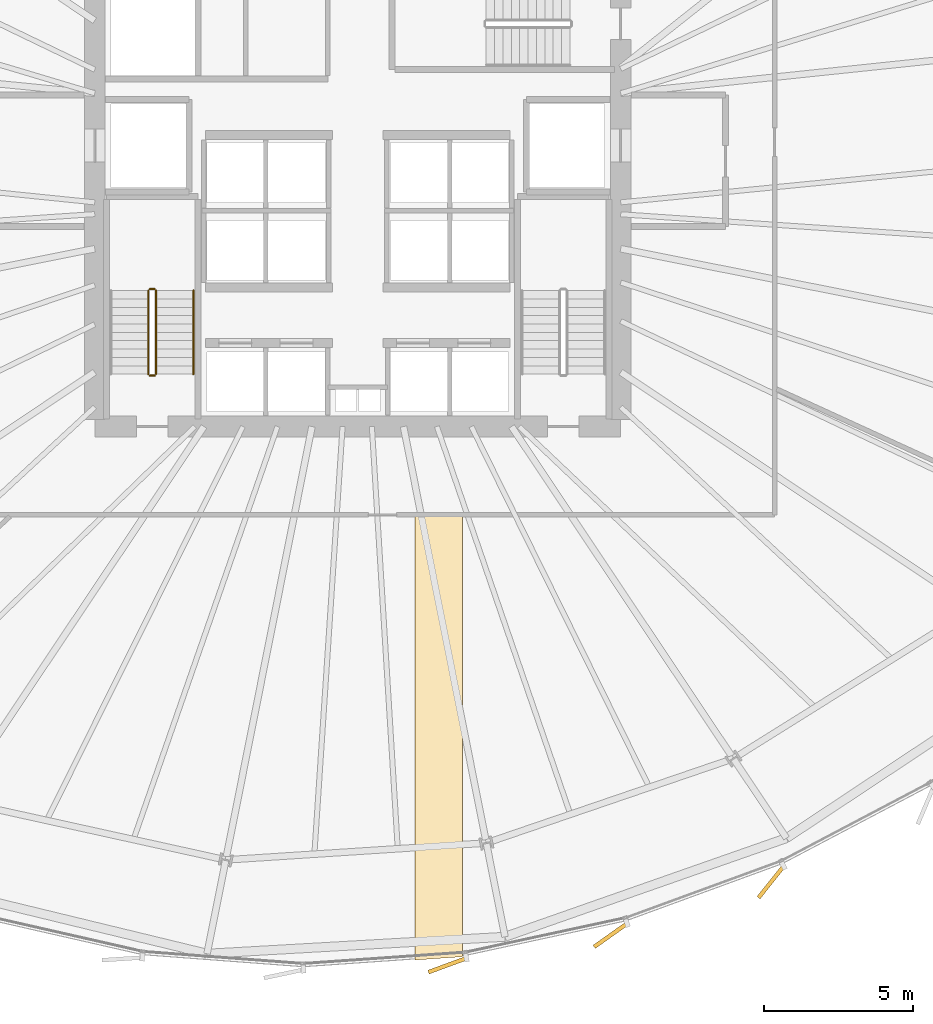
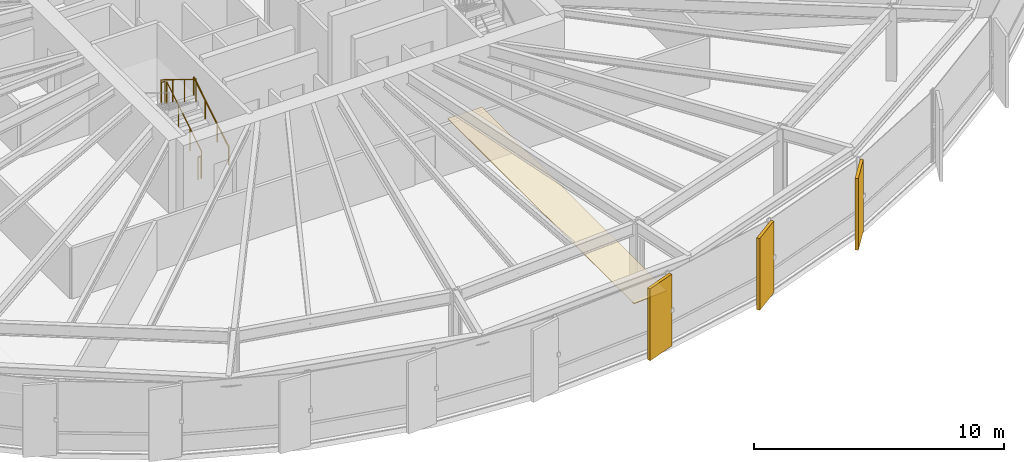
# One storey, part 35 of 38: 5 railings, 4 coverings.
"""IFC4 building model written with IfcOpenShell, lengths in metres."""

from ifc_helpers import new_model, si_unit, direction, frame, origin, origin_2d, place, context, subcontext, project, spatial, polyline, rectangle, circle, outline, extrude, source, transform, mapped, material, layer, layer_set, type_object, element, save


model = new_model("IFC4")

# Units and contexts
model_context = context("Model", 3, precision=1e-05, world=origin(), true_north=direction((0.0, 1.0)))
body_context = subcontext(model_context, "Body", "Model", "MODEL_VIEW")
ifc_project = project(units=[si_unit("LENGTHUNIT", "METRE"), si_unit("AREAUNIT", "SQUARE_METRE"), si_unit("VOLUMEUNIT", "CUBIC_METRE"), si_unit("PLANEANGLEUNIT", "RADIAN"), si_unit("MASSUNIT", "GRAM", prefix="KILO"), si_unit("THERMODYNAMICTEMPERATUREUNIT", "KELVIN")], contexts=[model_context])

# Site, building, storey
site_placement = place(None, origin())
site = spatial("IfcSite", under=ifc_project, at=site_placement, CompositionType="ELEMENT")
building_placement = place(site_placement, origin())
building = spatial("IfcBuilding", under=site, at=building_placement, Name="Kethvar Cultural Tower", CompositionType="ELEMENT")
storey_placement = place(building_placement, frame((0.0, 0.0, 63.800048828125)))
storey = spatial("IfcBuildingStorey", under=building, at=storey_placement, Name="L15", CompositionType="ELEMENT", Elevation=63.800048828125)

# Covering
ifc_material_1 = material(Name="Acoustic Mineral Fibre Ceiling")
ifc_layer_1 = layer(ifc_material_1, 0.0400390625, Name="Acoustic Mineral Fibre Ceiling")
ifc_layer_set_1 = layer_set([ifc_layer_1], Name="Acoustic Mineral Fibre Ceiling (40 mm)")
covering_type_1 = type_object("IfcCoveringType", Name="CV-ACOUSTIC-CEIL", PredefinedType="CEILING", material=ifc_layer_set_1)
covering_placement = place(storey_placement, frame((0.0, 0.0, 2.669921875)))
element("IfcCovering", 1, at=covering_placement, inside=storey, type_object=covering_type_1, Name="L15 Room 01 Acoustic Ceiling Panel", PredefinedType="CEILING", context=body_context, shape_type="SweptSolid", body=[
    extrude(outline(polyline([(48.7109375, 2.245849609375), (48.7109375, 17.159912109375), (50.301025390625, 17.159912109375), (50.301025390625, 2.35693359375), (48.7109375, 2.245849609375)])), origin(), (0.0, 0.0, 1.0), 0.0400390625),
])

# Railings
ifc_material_2 = material(Name="Steel S355J2", Category="steel")
railing_type_1 = type_object("IfcRailingType", Name="RL-STAIR-GUARD", PredefinedType="BALUSTRADE", material=ifc_material_2)
railing_1_placement = place(storey_placement, frame((40.050048828125, 21.85009765625, 0.172607421875)))
element("IfcRailing", 2, at=railing_1_placement, inside=storey, type_object=railing_type_1, Name="L15 ST-01 stair guard 1", PredefinedType="BALUSTRADE", context=body_context, shape_type="SweptSolid", body=[
    extrude(circle(Radius=0.02392578125, at=origin_2d()), frame((0.0, 0.0, 1.09619140625), z_axis=(0.0, 0.851069175582, 0.525053576669), x_axis=(-1.0, 0.0, 0.0)), (0.0, 0.0, 1.0), 3.289794921875),
    extrude(circle(Radius=0.02099609375, at=origin_2d()), origin(), (0.0, 0.0, 1.0), 1.072021484375),
    extrude(circle(Radius=0.02099609375, at=origin_2d()), frame((0.0, 0.933349609375, 0.57568359375)), (0.0, 0.0, 1.0), 1.072021484375),
    extrude(circle(Radius=0.02099609375, at=origin_2d()), frame((0.0, 1.866455078125, 1.151611328125)), (0.0, 0.0, 1.0), 1.072021484375),
    extrude(circle(Radius=0.02099609375, at=origin_2d()), frame((0.0, 2.7998046875, 1.727294921875)), (0.0, 0.0, 1.0), 1.072021484375),
])
railing_2_placement = place(storey_placement, frame((40.0, 24.699951171875, 1.89990234375)))
element("IfcRailing", 3, at=railing_2_placement, inside=storey, type_object=railing_type_1, Name="L15 ST-01 stair guard 2", PredefinedType="BALUSTRADE", context=body_context, shape_type="SweptSolid", body=[
    extrude(circle(Radius=0.02392578125, at=origin_2d()), frame((0.0, 0.0, 1.09619140625), z_axis=(-1.0, 0.0, 0.0), x_axis=(0.0, -1.0, 0.0)), (0.0, 0.0, 1.0), 0.159912109375),
    extrude(circle(Radius=0.02099609375, at=origin_2d()), origin(), (0.0, 0.0, 1.0), 1.072021484375),
    extrude(circle(Radius=0.02099609375, at=origin_2d()), frame((-0.159912109375, 0.0, 0.0)), (0.0, 0.0, 1.0), 1.072021484375),
])
railing_3_placement = place(storey_placement, frame((39.7900390625, 24.64990234375, 2.07275390625)))
element("IfcRailing", 4, at=railing_3_placement, inside=storey, type_object=railing_type_1, Name="L15 ST-01 stair guard 3", PredefinedType="BALUSTRADE", context=body_context, shape_type="SweptSolid", body=[
    extrude(circle(Radius=0.02392578125, at=origin_2d()), frame((0.0, 0.0, 1.09619140625), z_axis=(0.0, -0.851069175582, 0.525053576669), x_axis=(1.0, 0.0, 0.0)), (0.0, 0.0, 1.0), 3.289794921875),
    extrude(circle(Radius=0.02099609375, at=origin_2d()), origin(), (0.0, 0.0, 1.0), 1.072021484375),
    extrude(circle(Radius=0.02099609375, at=origin_2d()), frame((0.0, -0.933349609375, 0.57568359375)), (0.0, 0.0, 1.0), 1.072021484375),
    extrude(circle(Radius=0.02099609375, at=origin_2d()), frame((0.0, -1.866455078125, 1.151611328125)), (0.0, 0.0, 1.0), 1.072021484375),
    extrude(circle(Radius=0.02099609375, at=origin_2d()), frame((0.0, -2.7998046875, 1.727294921875)), (0.0, 0.0, 1.0), 1.072021484375),
])
railing_4_placement = place(storey_placement, frame((40.0, 21.800048828125, 0.0)))
element("IfcRailing", 5, at=railing_4_placement, inside=storey, type_object=railing_type_1, Name="L15 ST-01 stair guard 4", PredefinedType="BALUSTRADE", context=body_context, shape_type="SweptSolid", body=[
    extrude(circle(Radius=0.02392578125, at=origin_2d()), frame((0.0, 0.0, 1.09619140625), z_axis=(-1.0, 0.0, 0.0), x_axis=(0.0, -1.0, 0.0)), (0.0, 0.0, 1.0), 0.159912109375),
    extrude(circle(Radius=0.02099609375, at=origin_2d()), origin(), (0.0, 0.0, 1.0), 1.072021484375),
    extrude(circle(Radius=0.02099609375, at=origin_2d()), frame((-0.159912109375, 0.0, 0.0)), (0.0, 0.0, 1.0), 1.072021484375),
])
railing_type_2 = type_object("IfcRailingType", Name="RL-STAIR-HANDRAIL", PredefinedType="HANDRAIL", material=ifc_material_2)
railing_5_placement = place(storey_placement, frame((41.300048828125, 21.85009765625, 0.172607421875)))
element("IfcRailing", 6, at=railing_5_placement, inside=storey, type_object=railing_type_2, Name="L15 ST-01 stair handrail 1", PredefinedType="HANDRAIL", context=body_context, shape_type="SweptSolid", body=[
    extrude(circle(Radius=0.02392578125, at=origin_2d()), frame((0.0, 0.0, 0.8759765625), z_axis=(0.0, 0.851069175582, 0.525053576669), x_axis=(-1.0, 0.0, 0.0)), (0.0, 0.0, 1.0), 3.289794921875),
    extrude(circle(Radius=0.02099609375, at=origin_2d()), origin(), (0.0, 0.0, 1.0), 0.851806640625),
    extrude(circle(Radius=0.02099609375, at=origin_2d()), frame((0.0, 0.933349609375, 0.57568359375)), (0.0, 0.0, 1.0), 0.851806640625),
    extrude(circle(Radius=0.02099609375, at=origin_2d()), frame((0.0, 1.866455078125, 1.151611328125)), (0.0, 0.0, 1.0), 0.851806640625),
    extrude(circle(Radius=0.02099609375, at=origin_2d()), frame((0.0, 2.7998046875, 1.727294921875)), (0.0, 0.0, 1.0), 0.851806640625),
])

# Coverings
ifc_material_3 = material(Name="Extruded Architectural Terracotta", Category="masonry")
ifc_layer_2 = layer(ifc_material_3, 0.135009765625, Name="Extruded Architectural Terracotta", Category="masonry")
ifc_layer_set_2 = layer_set([ifc_layer_2], Name="Extruded Architectural Terracotta (135 mm)")
covering_type_2 = type_object("IfcCoveringType", Name="Terracotta Facade Fin FIN-01", PredefinedType="CLADDING", material=ifc_layer_set_2)
shared_shape = source(origin(), body_context, "Body", "SweptSolid", [
    extrude(rectangle(XDim=1.35009765625, YDim=0.135009765625, at=origin_2d()), origin(), (0.0, 0.0, 1.0), 3.510009765625),
])
for number, where, z_axis, x_axis, name in (
    (7, (49.80029296875, 2.07421875, 0.02001953125), (0.0, 0.0, 1.0), (-0.938673691819, -0.344806757891, 0.0), "L15 Vertical Terracotta Fin 5.4"),
    (8, (55.26171875, 3.077392578125, 0.02001953125), (0.0, 0.0, 1.0), (-0.815733970499, -0.578427255041, 0.0), "L15 Vertical Terracotta Fin 5.5"),
    (9, (60.631591796875, 4.859130859375, 0.02001953125), (0.0, 0.0, 1.0), (-0.624288714333, -0.781193702712, 0.0), "L15 Vertical Terracotta Fin 5.6"),
):
    element("IfcCovering", number, at=place(storey_placement, frame(where, z_axis=z_axis, x_axis=x_axis)), inside=storey, type_object=covering_type_2, Name=name, PredefinedType="CLADDING", context=body_context, shape_type="MappedRepresentation", body=[
        mapped(shared_shape, transform((0.0, 0.0, 0.0), scale=1.0)),
    ])

save(model, "model.ifc")
